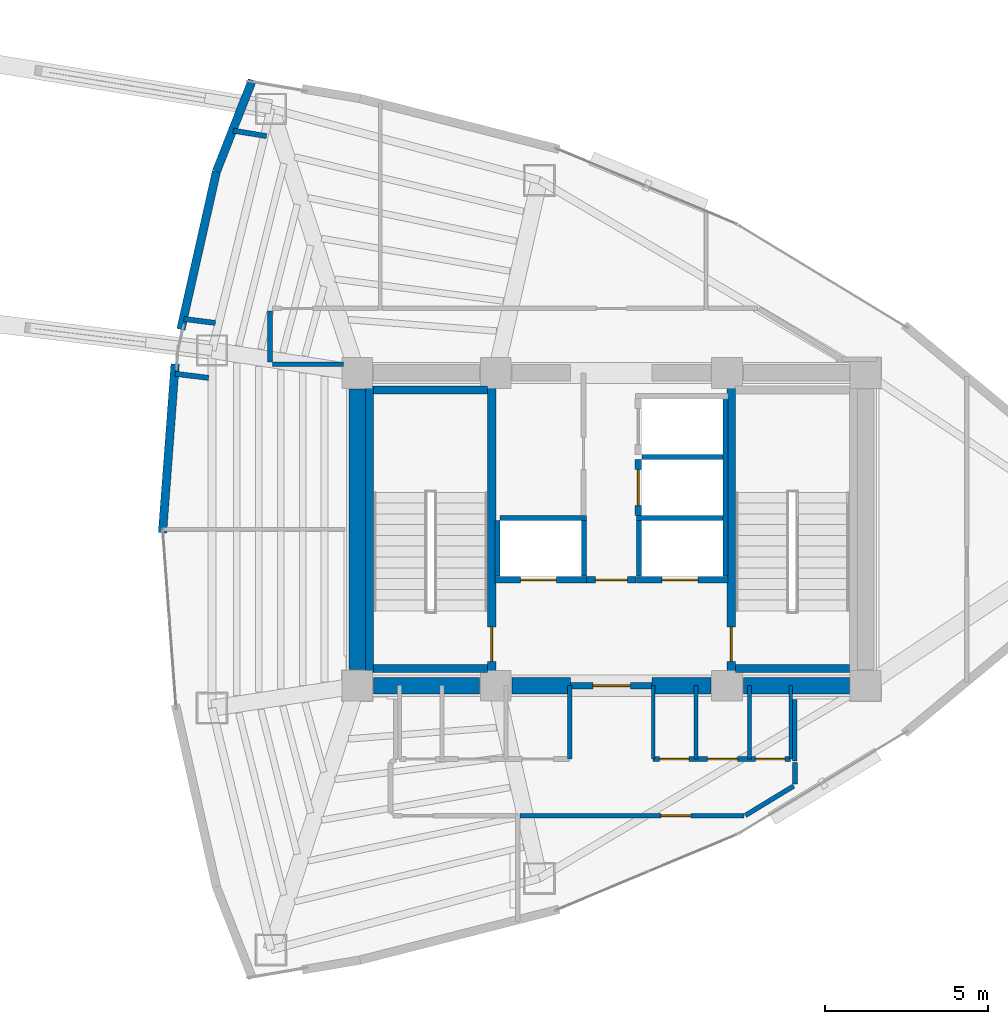
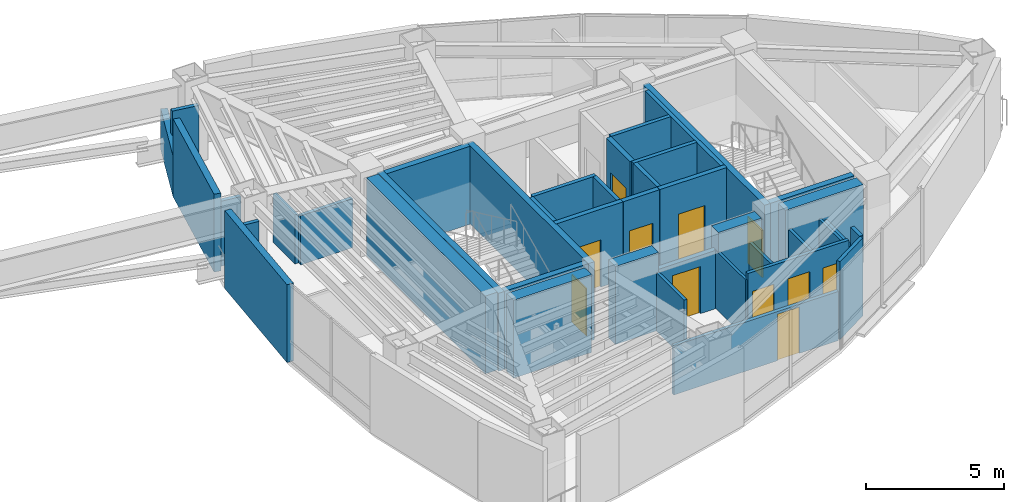
# One storey, part 11 of 14: 41 walls, 11 doors, 11 openings.
"""IFC4 building model written with IfcOpenShell, lengths in metres."""

from ifc_helpers import new_model, si_unit, direction, frame, frame_2d, origin, place, context, subcontext, project, spatial, rectangle, extrude, material, layer, layer_set, type_object, element, fill, save


model = new_model("IFC4")

# Units and contexts
model_context = context("Model", 3, precision=1e-05, world=origin(), true_north=direction((0.0, 1.0)))
body_context = subcontext(model_context, "Body", "Model", "MODEL_VIEW")
ifc_project = project(units=[si_unit("LENGTHUNIT", "METRE"), si_unit("AREAUNIT", "SQUARE_METRE"), si_unit("VOLUMEUNIT", "CUBIC_METRE"), si_unit("PLANEANGLEUNIT", "RADIAN"), si_unit("MASSUNIT", "GRAM", prefix="KILO")], contexts=[model_context])

# Site, building, storey
site_placement = place(None, origin())
site = spatial("IfcSite", under=ifc_project, at=site_placement, CompositionType="ELEMENT")
building_placement = place(site_placement, origin())
building = spatial("IfcBuilding", under=site, at=building_placement, Name="Menara Vayukalpa", CompositionType="ELEMENT")
storey_placement = place(building_placement, frame((0.0, 0.0, 191.52001953125)))
storey = spatial("IfcBuildingStorey", under=building, at=storey_placement, Name="L48", CompositionType="ELEMENT", Elevation=191.52001953125)

# Walls
ifc_material_1 = material(Name="Concrete C60/75", Category="concrete")
ifc_layer_1 = layer(ifc_material_1, 0.5)
ifc_layer_set_1 = layer_set([ifc_layer_1], Name="Concrete C60/75")
wall_type_1 = type_object("IfcWallType", Name="WAL-CW500", PredefinedType="SHEAR", material=ifc_layer_set_1)
wall_1_placement = place(storey_placement, frame((18.294921875, 17.199951171875, 0.0), z_axis=(0.0, 0.0, 1.0), x_axis=(1.0, 0.0, 0.0)))
element("IfcWall", 1, at=wall_1_placement, inside=storey, type_object=wall_type_1, Name="L48 Buttressed Core Shear Wall CWS1", PredefinedType="SHEAR", context=body_context, shape_type="SweptSolid", body=[
    extrude(rectangle(XDim=3.260009765625, YDim=0.5, at=frame_2d((1.6298828125, 0.0))), origin(), (0.0, 0.0, 1.0), 3.43994140625),
])
wall_2_placement = place(storey_placement, frame((22.544921875, 17.199951171875, 0.0), z_axis=(0.0, 0.0, 1.0), x_axis=(1.0, 0.0, 0.0)))
element("IfcWall", 2, at=wall_2_placement, inside=storey, type_object=wall_type_1, Name="L48 Buttressed Core Shear Wall CWS2", PredefinedType="SHEAR", context=body_context, shape_type="SweptSolid", body=[
    extrude(rectangle(XDim=1.80517578125, YDim=0.5, at=frame_2d((0.902587890625, 0.0))), origin(), (0.0, 0.0, 1.0), 3.43994140625),
])
wall_3_placement = place(storey_placement, frame((26.85009765625, 17.199951171875, 0.0), z_axis=(0.0, 0.0, 1.0), x_axis=(1.0, 0.0, 0.0)))
element("IfcWall", 3, at=wall_3_placement, inside=storey, type_object=wall_type_1, Name="L48 Buttressed Core Shear Wall CWS3", PredefinedType="SHEAR", context=body_context, shape_type="SweptSolid", body=[
    extrude(rectangle(XDim=1.804931640625, YDim=0.5, at=frame_2d((0.90234375, 0.0))), origin(), (0.0, 0.0, 1.0), 3.43994140625),
])
wall_4_placement = place(storey_placement, frame((29.64501953125, 17.199951171875, 0.0), z_axis=(0.0, 0.0, 1.0), x_axis=(1.0, 0.0, 0.0)))
element("IfcWall", 4, at=wall_4_placement, inside=storey, type_object=wall_type_1, Name="L48 Buttressed Core Shear Wall CWS4", PredefinedType="SHEAR", context=body_context, shape_type="SweptSolid", body=[
    extrude(rectangle(XDim=3.260009765625, YDim=0.5, at=frame_2d((1.6298828125, 0.0))), origin(), (0.0, 0.0, 1.0), 3.43994140625),
])
wall_5_placement = place(storey_placement, frame((17.800048828125, 17.695068359375, 0.0), z_axis=(0.0, 0.0, 1.0), x_axis=(0.0, 1.0, 0.0)))
element("IfcWall", 5, at=wall_5_placement, inside=storey, type_object=wall_type_1, Name="L48 Buttressed Core Shear Wall CWW1", PredefinedType="SHEAR", context=body_context, shape_type="SweptSolid", body=[
    extrude(rectangle(XDim=8.60986328125, YDim=0.5, at=frame_2d((4.304931640625, 0.0))), origin(), (0.0, 0.0, 1.0), 3.43994140625),
])
ifc_material_2 = material(Name="Insulated Precast Concrete C40/50", Category="concrete")
ifc_layer_2 = layer(ifc_material_2, 0.260009765625)
ifc_layer_set_2 = layer_set([ifc_layer_2], Name="Insulated Precast Concrete C40/50")
wall_type_2 = type_object("IfcWallType", Name="WAL-EXT260", PredefinedType="PARTITIONING", material=ifc_layer_set_2)
wall_6_placement = place(storey_placement, frame((13.47900390625, 32.978515625, 0.0), z_axis=(0.0, 0.0, 1.0), x_axis=(0.365609724313, 0.930768246927, 0.0)))
element("IfcWall", 6, at=wall_6_placement, inside=storey, type_object=wall_type_2, Name="L48 Perimeter Terracotta Pier Wall 08", PredefinedType="PARTITIONING", context=body_context, shape_type="SweptSolid", body=[
    extrude(rectangle(XDim=3.010986328125, YDim=0.260009765625, at=frame_2d((1.50537109375, 0.0))), origin(), (0.0, 0.0, 1.0), 1.800048828125),
])
wall_7_placement = place(storey_placement, frame((12.388671875, 28.1318359375, 0.0), z_axis=(0.0, 0.0, 1.0), x_axis=(0.219479451471, 0.975617122842, 0.0)))
element("IfcWall", 7, at=wall_7_placement, inside=storey, type_object=wall_type_2, Name="L48 Perimeter Terracotta Pier Wall 09", PredefinedType="PARTITIONING", context=body_context, shape_type="SweptSolid", body=[
    extrude(rectangle(XDim=4.9677734375, YDim=0.260009765625, at=frame_2d((2.48388671875, 0.0))), origin(), (0.0, 0.0, 1.0), 3.43994140625),
])
wall_8_placement = place(storey_placement, frame((11.82421875, 21.890380859375, 0.0), z_axis=(0.0, 0.0, 1.0), x_axis=(0.074763079383, 0.997201324689, 0.0)))
element("IfcWall", 8, at=wall_8_placement, inside=storey, type_object=wall_type_2, Name="L48 Perimeter Terracotta Pier Wall 10", PredefinedType="PARTITIONING", context=body_context, shape_type="SweptSolid", body=[
    extrude(rectangle(XDim=5.195556640625, YDim=0.260009765625, at=frame_2d((2.59765625, 0.0))), origin(), (0.0, 0.0, 1.0), 3.43994140625),
])
ifc_material_3 = material(Name="Lightweight Concrete Blockwork C16/20", Category="masonry")
ifc_layer_3 = layer(ifc_material_3, 0.159912109375)
ifc_layer_set_3 = layer_set([ifc_layer_3], Name="Lightweight Concrete Blockwork C16/20")
wall_type_3 = type_object("IfcWallType", Name="WAL-FR150", PredefinedType="PARTITIONING", material=ifc_layer_set_3)
for number, where, z_axis, x_axis, name in (
    (9, (22.10498046875, 20.56005859375, 0.0), (0.0, 0.0, 1.0), (0.0, 1.0, 0.0), "L48 Interior Partition IW-L48-SHW-WW"),
    (10, (24.7548828125, 20.56005859375, 0.0), (0.0, 0.0, 1.0), (0.0, 1.0, 0.0), "L48 Interior Partition IW-L48-SHW-W1E"),
):
    element("IfcWall", number, at=place(storey_placement, frame(where, z_axis=z_axis, x_axis=x_axis)), inside=storey, type_object=wall_type_3, Name=name, PredefinedType="PARTITIONING", context=body_context, shape_type="SweptSolid", body=[
        extrude(rectangle(XDim=1.7099609375, YDim=0.159912109375, at=frame_2d((0.85498046875, 0.0))), origin(), (0.0, 0.0, 1.0), 3.43994140625),
    ])
wall_9_placement = place(storey_placement, frame((22.179931640625, 22.344970703125, 0.0), z_axis=(0.0, 0.0, 1.0), x_axis=(1.0, 0.0, 0.0)))
element("IfcWall", 11, at=wall_9_placement, inside=storey, type_object=wall_type_3, Name="L48 Interior Partition IW-L48-SHM-W12", PredefinedType="PARTITIONING", context=body_context, shape_type="SweptSolid", body=[
    extrude(rectangle(XDim=2.650146484375, YDim=0.159912109375, at=frame_2d((1.3251953125, 0.0))), origin(), (0.0, 0.0, 1.0), 3.43994140625),
])
wall_10_placement = place(storey_placement, frame((29.094970703125, 20.56005859375, 0.0), z_axis=(0.0, 0.0, 1.0), x_axis=(0.0, 1.0, 0.0)))
element("IfcWall", 12, at=wall_10_placement, inside=storey, type_object=wall_type_3, Name="L48 Interior Partition IW-L48-SHW-EE", PredefinedType="PARTITIONING", context=body_context, shape_type="SweptSolid", body=[
    extrude(rectangle(XDim=5.449951171875, YDim=0.159912109375, at=frame_2d((2.72509765625, 0.0))), origin(), (0.0, 0.0, 1.0), 3.43994140625),
])
wall_11_placement = place(storey_placement, frame((26.445068359375, 20.56005859375, 0.0), z_axis=(0.0, 0.0, 1.0), x_axis=(0.0, 1.0, 0.0)))
element("IfcWall", 13, at=wall_11_placement, inside=storey, type_object=wall_type_3, Name="L48 Interior Partition IW-L48-SHW-E1W", PredefinedType="PARTITIONING", context=body_context, shape_type="SweptSolid", body=[
    extrude(rectangle(XDim=1.7099609375, YDim=0.159912109375, at=frame_2d((0.85498046875, 0.0))), origin(), (0.0, 0.0, 1.0), 3.43994140625),
])
wall_12_placement = place(storey_placement, frame((26.3701171875, 22.344970703125, 0.0), z_axis=(0.0, 0.0, 1.0), x_axis=(1.0, 0.0, 0.0)))
element("IfcWall", 14, at=wall_12_placement, inside=storey, type_object=wall_type_3, Name="L48 Interior Partition IW-L48-SHM-E13", PredefinedType="PARTITIONING", context=body_context, shape_type="SweptSolid", body=[
    extrude(rectangle(XDim=2.64990234375, YDim=0.159912109375, at=frame_2d((1.324951171875, 0.0))), origin(), (0.0, 0.0, 1.0), 3.43994140625),
])
wall_13_placement = place(storey_placement, frame((26.530029296875, 24.215087890625, 0.0), z_axis=(0.0, 0.0, 1.0), x_axis=(1.0, 0.0, 0.0)))
element("IfcWall", 15, at=wall_13_placement, inside=storey, type_object=wall_type_3, Name="L48 Interior Partition IW-L48-SHM-E32", PredefinedType="PARTITIONING", context=body_context, shape_type="SweptSolid", body=[
    extrude(rectangle(XDim=2.489990234375, YDim=0.159912109375, at=frame_2d((1.2451171875, 0.0))), origin(), (0.0, 0.0, 1.0), 3.43994140625),
])
wall_14_placement = place(storey_placement, frame((12.210205078125, 26.772216796875, 0.0), z_axis=(0.0, 0.0, 1.0), x_axis=(0.992518468601, -0.122094592369, 0.0)))
element("IfcWall", 16, at=wall_14_placement, inside=storey, type_object=wall_type_3, Name="L48 Interior Partition IW-L48-OCHK05-1", PredefinedType="PARTITIONING", context=body_context, shape_type="SweptSolid", body=[
    extrude(rectangle(XDim=1.037841796875, YDim=0.159912109375, at=frame_2d((0.51904296875, 0.0))), origin(), (0.0, 0.0, 1.0), 2.869873046875),
])
wall_15_placement = place(storey_placement, frame((13.44775390625, 28.332763671875, 0.0), z_axis=(0.0, 0.0, 1.0), x_axis=(-0.992488549389, 0.122337563047, 0.0)))
element("IfcWall", 17, at=wall_15_placement, inside=storey, type_object=wall_type_3, Name="L48 Interior Partition IW-L48-OCHK05-66", PredefinedType="PARTITIONING", context=body_context, shape_type="SweptSolid", body=[
    extrude(rectangle(XDim=0.973876953125, YDim=0.159912109375, at=frame_2d((0.48681640625, 0.0))), origin(), (0.0, 0.0, 1.0), 2.869873046875),
])
wall_16_placement = place(storey_placement, frame((13.99267578125, 34.2314453125, 0.0), z_axis=(0.0, 0.0, 1.0), x_axis=(0.986872539289, -0.161501056334, 0.0)))
element("IfcWall", 18, at=wall_16_placement, inside=storey, type_object=wall_type_3, Name="L48 Interior Partition IW-L48-OCHK05-69", PredefinedType="PARTITIONING", context=body_context, shape_type="SweptSolid", body=[
    extrude(rectangle(XDim=1.03857421875, YDim=0.159912109375, at=frame_2d((0.519287109375, 0.0))), origin(), (0.0, 0.0, 1.0), 2.869873046875),
])

# Wall, opening, door
ifc_material_4 = material(Name="Lightweight Concrete Blockwork C16/20", Category="masonry")
ifc_layer_4 = layer(ifc_material_4, 0.199951171875)
ifc_layer_set_4 = layer_set([ifc_layer_4], Name="Lightweight Concrete Blockwork C16/20")
wall_type_4 = type_object("IfcWallType", Name="WAL-FR200", PredefinedType="PARTITIONING", material=ifc_layer_set_4)
wall_17_placement = place(storey_placement, frame((24.35009765625, 17.199951171875, 0.0), z_axis=(0.0, 0.0, 1.0), x_axis=(1.0, 0.0, 0.0)))
wall_17 = element("IfcWall", 19, at=wall_17_placement, inside=storey, type_object=wall_type_4, Name="L48 Interior Partition IW-L48-FFLS", PredefinedType="PARTITIONING", context=body_context, shape_type="SweptSolid", body=[
    extrude(rectangle(XDim=2.5, YDim=0.199951171875, at=frame_2d((1.25, 0.0))), origin(), (0.0, 0.0, 1.0), 2.570068359375),
])
opening_1_placement = place(wall_17_placement, frame((0.679931640625, 0.0, 0.0)))
opening_1 = element("IfcOpeningElement", 20, at=opening_1_placement, cuts=wall_17, Name="Opening ID2", PredefinedType="OPENING", context=body_context, shape_type="SweptSolid", body=[
    extrude(rectangle(XDim=1.14990234375, YDim=2.080078125, at=frame_2d((0.574951171875, 1.0400390625))), frame((0.0, 0.10986328125, 0.0), z_axis=(0.0, -1.0, 0.0), x_axis=(1.0, 0.0, 0.0)), (0.0, 0.0, 1.0), 0.219970703125),
])
ifc_material_5 = material(Name="Fire-Rated Powder-Coated Steel Door", Category="steel")
door_type_1 = type_object("IfcDoorType", Name="DR-FD60W", OperationType="NOTDEFINED", PredefinedType="DOOR", material=ifc_material_5)
door_1_placement = place(opening_1_placement, origin())
door_1 = element("IfcDoor", 21, at=door_1_placement, inside=storey, type_object=door_type_1, Name="L48 Interior Door DR-L48-FFLS", OperationType="SINGLE_SWING_RIGHT", OverallHeight=2.080078125, OverallWidth=1.14990234375, PredefinedType="DOOR", context=body_context, shape_type="SweptSolid", body=[
    extrude(rectangle(XDim=1.14990234375, YDim=2.080078125, at=frame_2d((0.574951171875, 1.0400390625))), frame((0.0, 0.02490234375, 0.0), z_axis=(0.0, -1.0, 0.0), x_axis=(1.0, 0.0, 0.0)), (0.0, 0.0, 1.0), 0.050048828125),
])
fill(opening_1, door_1)

wall_18_placement = place(storey_placement, frame((24.840087890625, 20.449951171875, 0.0), z_axis=(0.0, 0.0, 1.0), x_axis=(1.0, 0.0, 0.0)))
wall_18 = element("IfcWall", 22, at=wall_18_placement, inside=storey, type_object=wall_type_4, Name="L48 Interior Partition IW-L48-FFLN", PredefinedType="PARTITIONING", context=body_context, shape_type="SweptSolid", body=[
    extrude(rectangle(XDim=1.52001953125, YDim=0.199951171875, at=frame_2d((0.760009765625, 0.0))), origin(), (0.0, 0.0, 1.0), 3.43994140625),
])
opening_2_placement = place(wall_18_placement, frame((0.27001953125, 0.0, 0.0)))
opening_2 = element("IfcOpeningElement", 23, at=opening_2_placement, cuts=wall_18, Name="Opening ID3", PredefinedType="OPENING", context=body_context, shape_type="SweptSolid", body=[
    extrude(rectangle(XDim=0.97998046875, YDim=2.06005859375, at=frame_2d((0.489990234375, 1.030029296875))), frame((0.0, 0.10986328125, 0.0), z_axis=(0.0, -1.0, 0.0), x_axis=(1.0, 0.0, 0.0)), (0.0, 0.0, 1.0), 0.219970703125),
])
ifc_material_6 = material(Name="Fire-Rated Powder-Coated Steel Door", Category="steel")
door_type_2 = type_object("IfcDoorType", Name="DR-FD60", OperationType="NOTDEFINED", PredefinedType="DOOR", material=ifc_material_6)
door_2_placement = place(opening_2_placement, origin())
door_2 = element("IfcDoor", 24, at=door_2_placement, inside=storey, type_object=door_type_2, Name="L48 Interior Door DR-L48-FFLN", OperationType="SINGLE_SWING_LEFT", OverallHeight=2.06005859375, OverallWidth=0.97998046875, PredefinedType="DOOR", context=body_context, shape_type="SweptSolid", body=[
    extrude(rectangle(XDim=0.97998046875, YDim=2.06005859375, at=frame_2d((0.489990234375, 1.030029296875))), frame((0.0, 0.02490234375, 0.0), z_axis=(0.0, -1.0, 0.0), x_axis=(1.0, 0.0, 0.0)), (0.0, 0.0, 1.0), 0.050048828125),
])
fill(opening_2, door_2)

wall_19_placement = place(storey_placement, frame((22.030029296875, 20.449951171875, 0.0), z_axis=(0.0, 0.0, 1.0), x_axis=(1.0, 0.0, 0.0)))
wall_19 = element("IfcWall", 25, at=wall_19_placement, inside=storey, type_object=wall_type_4, Name="L48 Interior Partition IW-L48-SH-W1", PredefinedType="PARTITIONING", context=body_context, shape_type="SweptSolid", body=[
    extrude(rectangle(XDim=2.800048828125, YDim=0.199951171875, at=frame_2d((1.39990234375, 0.0))), origin(), (0.0, 0.0, 1.0), 3.43994140625),
])
opening_3_placement = place(wall_19_placement, frame((0.780029296875, 0.0, 0.0)))
opening_3 = element("IfcOpeningElement", 26, at=opening_3_placement, cuts=wall_19, Name="Opening LD1", PredefinedType="OPENING", context=body_context, shape_type="SweptSolid", body=[
    extrude(rectangle(XDim=1.10009765625, YDim=2.080078125, at=frame_2d((0.550048828125, 1.0400390625))), frame((0.0, 0.10986328125, 0.0), z_axis=(0.0, -1.0, 0.0), x_axis=(1.0, 0.0, 0.0)), (0.0, 0.0, 1.0), 0.219970703125),
])
ifc_material_7 = material(Name="Brushed Stainless Steel 316 Lift Door", Category="steel")
door_type_3 = type_object("IfcDoorType", Name="DR-LD110", OperationType="NOTDEFINED", PredefinedType="DOOR", material=ifc_material_7)
door_3_placement = place(opening_3_placement, origin())
door_3 = element("IfcDoor", 27, at=door_3_placement, inside=storey, type_object=door_type_3, Name="L48 Interior Door DR-L48-LD-W1", OperationType="DOUBLE_DOOR_SLIDING", OverallHeight=2.080078125, OverallWidth=1.10009765625, PredefinedType="DOOR", context=body_context, shape_type="SweptSolid", body=[
    extrude(rectangle(XDim=1.10009765625, YDim=2.080078125, at=frame_2d((0.550048828125, 1.0400390625))), frame((0.0, 0.02490234375, 0.0), z_axis=(0.0, -1.0, 0.0), x_axis=(1.0, 0.0, 0.0)), (0.0, 0.0, 1.0), 0.050048828125),
])
fill(opening_3, door_3)

wall_20_placement = place(storey_placement, frame((26.3701171875, 20.449951171875, 0.0), z_axis=(0.0, 0.0, 1.0), x_axis=(1.0, 0.0, 0.0)))
wall_20 = element("IfcWall", 28, at=wall_20_placement, inside=storey, type_object=wall_type_4, Name="L48 Interior Partition IW-L48-SH-E1", PredefinedType="PARTITIONING", context=body_context, shape_type="SweptSolid", body=[
    extrude(rectangle(XDim=2.7998046875, YDim=0.199951171875, at=frame_2d((1.39990234375, 0.0))), origin(), (0.0, 0.0, 1.0), 3.43994140625),
])
opening_4_placement = place(wall_20_placement, frame((0.780029296875, 0.0, 0.0)))
opening_4 = element("IfcOpeningElement", 29, at=opening_4_placement, cuts=wall_20, Name="Opening LD1", PredefinedType="OPENING", context=body_context, shape_type="SweptSolid", body=[
    extrude(rectangle(XDim=1.10009765625, YDim=2.080078125, at=frame_2d((0.550048828125, 1.0400390625))), frame((0.0, 0.10986328125, 0.0), z_axis=(0.0, -1.0, 0.0), x_axis=(1.0, 0.0, 0.0)), (0.0, 0.0, 1.0), 0.219970703125),
])
door_4_placement = place(opening_4_placement, origin())
door_4 = element("IfcDoor", 30, at=door_4_placement, inside=storey, type_object=door_type_3, Name="L48 Interior Door DR-L48-LD-E1", OperationType="DOUBLE_DOOR_SLIDING", OverallHeight=2.080078125, OverallWidth=1.10009765625, PredefinedType="DOOR", context=body_context, shape_type="SweptSolid", body=[
    extrude(rectangle(XDim=1.10009765625, YDim=2.080078125, at=frame_2d((0.550048828125, 1.0400390625))), frame((0.0, 0.02490234375, 0.0), z_axis=(0.0, -1.0, 0.0), x_axis=(1.0, 0.0, 0.0)), (0.0, 0.0, 1.0), 0.050048828125),
])
fill(opening_4, door_4)

wall_21_placement = place(storey_placement, frame((26.419921875, 22.419921875, 0.0), z_axis=(0.0, 0.0, 1.0), x_axis=(0.0, 1.0, 0.0)))
wall_21 = element("IfcWall", 31, at=wall_21_placement, inside=storey, type_object=wall_type_4, Name="L48 Interior Partition IW-L48-SH-E3", PredefinedType="PARTITIONING", context=body_context, shape_type="SweptSolid", body=[
    extrude(rectangle(XDim=1.719970703125, YDim=0.199951171875, at=frame_2d((0.85986328125, 0.0))), origin(), (0.0, 0.0, 1.0), 3.43994140625),
])
opening_5_placement = place(wall_21_placement, frame((0.31005859375, 0.0, 0.0)))
opening_5 = element("IfcOpeningElement", 32, at=opening_5_placement, cuts=wall_21, Name="Opening LD1", PredefinedType="OPENING", context=body_context, shape_type="SweptSolid", body=[
    extrude(rectangle(XDim=1.10009765625, YDim=2.080078125, at=frame_2d((0.550048828125, 1.0400390625))), frame((0.0, 0.10986328125, 0.0), z_axis=(0.0, -1.0, 0.0), x_axis=(1.0, 0.0, 0.0)), (0.0, 0.0, 1.0), 0.219970703125),
])
door_5_placement = place(opening_5_placement, origin())
door_5 = element("IfcDoor", 33, at=door_5_placement, inside=storey, type_object=door_type_3, Name="L48 Interior Door DR-L48-LD-E3", OperationType="DOUBLE_DOOR_SLIDING", OverallHeight=2.080078125, OverallWidth=1.10009765625, PredefinedType="DOOR", context=body_context, shape_type="SweptSolid", body=[
    extrude(rectangle(XDim=1.10009765625, YDim=2.080078125, at=frame_2d((0.550048828125, 1.0400390625))), frame((0.0, 0.02490234375, 0.0), z_axis=(0.0, -1.0, 0.0), x_axis=(1.0, 0.0, 0.0)), (0.0, 0.0, 1.0), 0.050048828125),
])
fill(opening_5, door_5)

# Walls
ifc_material_8 = material(Name="Acoustic Mineral Stud Partition", Category="masonry")
ifc_layer_5 = layer(ifc_material_8, 0.110107421875)
ifc_layer_set_5 = layer_set([ifc_layer_5], Name="Acoustic Mineral Stud Partition")
wall_type_5 = type_object("IfcWallType", Name="WAL-PT110", PredefinedType="PARTITIONING", material=ifc_layer_set_5)
for number, where, z_axis, x_axis, name in (
    (34, (26.8798828125, 14.949951171875, 0.0), (0.0, 0.0, 1.0), (0.0, 1.0, 0.0), "L48 Interior Partition IW-L48-SVCD-05"),
    (35, (31.10009765625, 14.949951171875, 0.0), (0.0, 0.0, 1.0), (0.0, 1.0, 0.0), "L48 Interior Partition IW-L48-SVCD-08"),
):
    element("IfcWall", number, at=place(storey_placement, frame(where, z_axis=z_axis, x_axis=x_axis)), inside=storey, type_object=wall_type_5, Name=name, PredefinedType="PARTITIONING", context=body_context, shape_type="SweptSolid", body=[
        extrude(rectangle(XDim=2.25, YDim=0.110107421875, at=frame_2d((1.125, 0.0))), origin(), (0.0, 0.0, 1.0), 2.570068359375),
    ])
ifc_material_9 = material(Name="Gypsum Drywall Steel Stud Assembly", Category="steel")
ifc_layer_6 = layer(ifc_material_9, 0.125)
ifc_layer_set_6 = layer_set([ifc_layer_6], Name="Gypsum Drywall Steel Stud Assembly")
wall_type_6 = type_object("IfcWallType", Name="WAL-PT125", PredefinedType="PARTITIONING", material=ifc_layer_set_6)
for number, where, z_axis, x_axis, name in (
    (36, (24.320068359375, 14.949951171875, 0.0), (0.0, 0.0, 1.0), (0.0, 1.0, 0.0), "L48 Interior Partition IW-L48-SVCD-04"),
    (37, (28.18994140625, 14.949951171875, 0.0), (0.0, 0.0, 1.0), (0.0, 1.0, 0.0), "L48 Interior Partition IW-L48-SVCD-06"),
    (38, (29.830078125, 14.949951171875, 0.0), (0.0, 0.0, 1.0), (0.0, 1.0, 0.0), "L48 Interior Partition IW-L48-SVCD-07"),
):
    element("IfcWall", number, at=place(storey_placement, frame(where, z_axis=z_axis, x_axis=x_axis)), inside=storey, type_object=wall_type_6, Name=name, PredefinedType="PARTITIONING", context=body_context, shape_type="SweptSolid", body=[
        extrude(rectangle(XDim=2.25, YDim=0.125, at=frame_2d((1.125, 0.0))), origin(), (0.0, 0.0, 1.0), 2.570068359375),
    ])

# Wall, openings, doors
ifc_material_10 = material(Name="Gypsum Drywall Acoustic Stud Assembly", Category="masonry")
ifc_layer_7 = layer(ifc_material_10, 0.14501953125)
ifc_layer_set_7 = layer_set([ifc_layer_7], Name="Gypsum Drywall Acoustic Stud Assembly")
wall_type_7 = type_object("IfcWallType", Name="WAL-PT150", PredefinedType="PARTITIONING", material=ifc_layer_set_7)
wall_22_placement = place(storey_placement, frame((26.8798828125, 14.949951171875, 0.0), z_axis=(0.0, 0.0, 1.0), x_axis=(1.0, 0.0, 0.0)))
wall_22 = element("IfcWall", 39, at=wall_22_placement, inside=storey, type_object=wall_type_7, Name="L48 Interior Partition IW-L48-SVCS-E", PredefinedType="PARTITIONING", context=body_context, shape_type="SweptSolid", body=[
    extrude(rectangle(XDim=4.22021484375, YDim=0.14501953125, at=frame_2d((2.110107421875, 0.0))), origin(), (0.0, 0.0, 1.0), 2.869873046875),
])
opening_6_placement = place(wall_22_placement, frame((0.199951171875, 0.0, 0.0)))
opening_6 = element("IfcOpeningElement", 40, at=opening_6_placement, cuts=wall_22, Name="Opening ID7", PredefinedType="OPENING", context=body_context, shape_type="SweptSolid", body=[
    extrude(rectangle(XDim=0.89990234375, YDim=2.02001953125, at=frame_2d((0.449951171875, 1.010009765625))), frame((0.0, 0.08251953125, 0.0), z_axis=(0.0, -1.0, 0.0), x_axis=(1.0, 0.0, 0.0)), (0.0, 0.0, 1.0), 0.1650390625),
])
opening_7_placement = place(wall_22_placement, frame((1.669921875, 0.0, 0.0)))
opening_7 = element("IfcOpeningElement", 41, at=opening_7_placement, cuts=wall_22, Name="Opening ID6", PredefinedType="OPENING", context=body_context, shape_type="SweptSolid", body=[
    extrude(rectangle(XDim=0.919921875, YDim=2.050048828125, at=frame_2d((0.4599609375, 1.02490234375))), frame((0.0, 0.08251953125, 0.0), z_axis=(0.0, -1.0, 0.0), x_axis=(1.0, 0.0, 0.0)), (0.0, 0.0, 1.0), 0.1650390625),
])
opening_8_placement = place(wall_22_placement, frame((3.139892578125, 0.0, 0.0)))
opening_8 = element("IfcOpeningElement", 42, at=opening_8_placement, cuts=wall_22, Name="Opening ID7", PredefinedType="OPENING", context=body_context, shape_type="SweptSolid", body=[
    extrude(rectangle(XDim=0.89990234375, YDim=2.02001953125, at=frame_2d((0.449951171875, 1.010009765625))), frame((0.0, 0.08251953125, 0.0), z_axis=(0.0, -1.0, 0.0), x_axis=(1.0, 0.0, 0.0)), (0.0, 0.0, 1.0), 0.1650390625),
])
ifc_material_11 = material(Name="Acoustic Hardwood Veneer Timber Door", Category="wood")
door_type_4 = type_object("IfcDoorType", Name="DR-INT92", OperationType="NOTDEFINED", PredefinedType="DOOR", material=ifc_material_11)
door_6_placement = place(opening_7_placement, origin())
door_6 = element("IfcDoor", 43, at=door_6_placement, inside=storey, type_object=door_type_4, Name="L48 Interior Door DR-L48-KSV2", OperationType="SINGLE_SWING_LEFT", OverallHeight=2.050048828125, OverallWidth=0.919921875, PredefinedType="DOOR", context=body_context, shape_type="SweptSolid", body=[
    extrude(rectangle(XDim=0.919921875, YDim=2.050048828125, at=frame_2d((0.4599609375, 1.02490234375))), frame((0.0, 0.02490234375, 0.0), z_axis=(0.0, -1.0, 0.0), x_axis=(1.0, 0.0, 0.0)), (0.0, 0.0, 1.0), 0.050048828125),
])
fill(opening_7, door_6)
ifc_material_12 = material(Name="Powder-Coated Steel Riser Access Door", Category="steel")
door_type_5 = type_object("IfcDoorType", Name="DR-RISER", OperationType="NOTDEFINED", PredefinedType="DOOR", material=ifc_material_12)
door_7_placement = place(opening_6_placement, origin())
door_7 = element("IfcDoor", 44, at=door_7_placement, inside=storey, type_object=door_type_5, Name="L48 Interior Door DR-L48-KSV1", OperationType="SINGLE_SWING_RIGHT", OverallHeight=2.02001953125, OverallWidth=0.89990234375, PredefinedType="DOOR", context=body_context, shape_type="SweptSolid", body=[
    extrude(rectangle(XDim=0.89990234375, YDim=2.02001953125, at=frame_2d((0.449951171875, 1.010009765625))), frame((0.0, 0.02490234375, 0.0), z_axis=(0.0, -1.0, 0.0), x_axis=(1.0, 0.0, 0.0)), (0.0, 0.0, 1.0), 0.050048828125),
])
fill(opening_6, door_7)
door_8_placement = place(opening_8_placement, origin())
door_8 = element("IfcDoor", 45, at=door_8_placement, inside=storey, type_object=door_type_5, Name="L48 Interior Door DR-L48-SMD", OperationType="SINGLE_SWING_RIGHT", OverallHeight=2.02001953125, OverallWidth=0.89990234375, PredefinedType="DOOR", context=body_context, shape_type="SweptSolid", body=[
    extrude(rectangle(XDim=0.89990234375, YDim=2.02001953125, at=frame_2d((0.449951171875, 1.010009765625))), frame((0.0, 0.02490234375, 0.0), z_axis=(0.0, -1.0, 0.0), x_axis=(1.0, 0.0, 0.0)), (0.0, 0.0, 1.0), 0.050048828125),
])
fill(opening_8, door_8)

# Wall, opening, door
wall_23_placement = place(storey_placement, frame((22.794921875, 13.2099609375, 0.0), z_axis=(0.0, 0.0, 1.0), x_axis=(1.0, 0.0, 0.0)))
wall_23 = element("IfcWall", 46, at=wall_23_placement, inside=storey, type_object=wall_type_7, Name="L48 Interior Partition IW-L48-CRM02-1", PredefinedType="PARTITIONING", context=body_context, shape_type="SweptSolid", body=[
    extrude(rectangle(XDim=6.87255859375, YDim=0.14501953125, at=frame_2d((3.436279296875, 0.0))), origin(), (0.0, 0.0, 1.0), 2.169921875),
])
opening_9_placement = place(wall_23_placement, frame((4.324462890625, 0.0, 0.0)))
opening_9 = element("IfcOpeningElement", 47, at=opening_9_placement, cuts=wall_23, Name="Opening ID6", PredefinedType="OPENING", context=body_context, shape_type="SweptSolid", body=[
    extrude(rectangle(XDim=0.919921875, YDim=2.050048828125, at=frame_2d((0.4599609375, 1.02490234375))), frame((0.0, 0.08251953125, 0.0), z_axis=(0.0, -1.0, 0.0), x_axis=(1.0, 0.0, 0.0)), (0.0, 0.0, 1.0), 0.1650390625),
])
door_9_placement = place(opening_9_placement, origin())
door_9 = element("IfcDoor", 48, at=door_9_placement, inside=storey, type_object=door_type_4, Name="L48 Interior Door DR-L48-RM02", OperationType="SINGLE_SWING_RIGHT", OverallHeight=2.050048828125, OverallWidth=0.919921875, PredefinedType="DOOR", context=body_context, shape_type="SweptSolid", body=[
    extrude(rectangle(XDim=0.919921875, YDim=2.050048828125, at=frame_2d((0.4599609375, 1.02490234375))), frame((0.0, 0.02490234375, 0.0), z_axis=(0.0, -1.0, 0.0), x_axis=(1.0, 0.0, 0.0)), (0.0, 0.0, 1.0), 0.050048828125),
])
fill(opening_9, door_9)

# Walls
wall_24_placement = place(storey_placement, frame((29.708984375, 13.2216796875, 0.0), z_axis=(0.0, 0.0, 1.0), x_axis=(0.854635840942, 0.519227868451, 0.0)))
element("IfcWall", 49, at=wall_24_placement, inside=storey, type_object=wall_type_7, Name="L48 Interior Partition IW-L48-CRM02-2", PredefinedType="PARTITIONING", context=body_context, shape_type="SweptSolid", body=[
    extrude(rectangle(XDim=1.734619140625, YDim=0.14501953125, at=frame_2d((0.8671875, 0.0))), origin(), (0.0, 0.0, 1.0), 3.43994140625),
])
wall_25_placement = place(storey_placement, frame((31.22998046875, 14.190673828125, 0.0), z_axis=(0.0, 0.0, 1.0), x_axis=(0.0, 1.0, 0.0)))
element("IfcWall", 50, at=wall_25_placement, inside=storey, type_object=wall_type_7, Name="L48 Interior Partition IW-L48-CRM02-3", PredefinedType="PARTITIONING", context=body_context, shape_type="SweptSolid", body=[
    extrude(rectangle(XDim=0.659423828125, YDim=0.14501953125, at=frame_2d((0.32958984375, 0.0))), origin(), (0.0, 0.0, 1.0), 3.43994140625),
])
wall_26_placement = place(storey_placement, frame((31.219970703125, 14.888671875, 0.0), z_axis=(0.0, 0.0, 1.0), x_axis=(0.0, 1.0, 0.0)))
element("IfcWall", 51, at=wall_26_placement, inside=storey, type_object=wall_type_7, Name="L48 Interior Partition IW-L48-CRM02-4", PredefinedType="PARTITIONING", context=body_context, shape_type="SweptSolid", body=[
    extrude(rectangle(XDim=1.891357421875, YDim=0.14501953125, at=frame_2d((0.94580078125, 0.0))), origin(), (0.0, 0.0, 1.0), 2.570068359375),
])
wall_27_placement = place(storey_placement, frame((15.1201171875, 28.699951171875, 0.0), z_axis=(0.0, 0.0, 1.0), x_axis=(0.0, -1.0, 0.0)))
element("IfcWall", 52, at=wall_27_placement, inside=storey, type_object=wall_type_7, Name="L48 Interior Partition IW-L48-CRM05-2", PredefinedType="PARTITIONING", context=body_context, shape_type="SweptSolid", body=[
    extrude(rectangle(XDim=1.56005859375, YDim=0.14501953125, at=frame_2d((0.780029296875, 0.0))), origin(), (0.0, 0.0, 1.0), 2.169921875),
])
wall_28_placement = place(storey_placement, frame((15.199951171875, 27.06005859375, 0.0), z_axis=(0.0, 0.0, 1.0), x_axis=(1.0, 0.0, 0.0)))
element("IfcWall", 53, at=wall_28_placement, inside=storey, type_object=wall_type_7, Name="L48 Interior Partition IW-L48-CRM05-3", PredefinedType="PARTITIONING", context=body_context, shape_type="SweptSolid", body=[
    extrude(rectangle(XDim=2.179931640625, YDim=0.14501953125, at=frame_2d((1.08984375, 0.0))), origin(), (0.0, 0.0, 1.0), 2.169921875),
])
ifc_material_13 = material(Name="Concrete C50/60", Category="concrete")
ifc_layer_8 = layer(ifc_material_13, 0.25)
ifc_layer_set_8 = layer_set([ifc_layer_8], Name="Concrete C50/60")
wall_type_8 = type_object("IfcWallType", Name="WAL-SW250", PredefinedType="SHEAR", material=ifc_layer_set_8)
wall_29_placement = place(storey_placement, frame((18.178955078125, 17.60009765625, 0.0), z_axis=(0.0, 0.0, 1.0), x_axis=(0.0, 1.0, 0.0)))
element("IfcWall", 54, at=wall_29_placement, inside=storey, type_object=wall_type_8, Name="L48 ST1 Structural Stair Shaft Wall W", PredefinedType="SHEAR", context=body_context, shape_type="SweptSolid", body=[
    extrude(rectangle(XDim=8.7998046875, YDim=0.25, at=frame_2d((4.39990234375, 0.0))), origin(), (0.0, 0.0, 1.0), 3.43994140625),
])

# Wall, opening, door
wall_30_placement = place(storey_placement, frame((21.925048828125, 17.60009765625, 0.0), z_axis=(0.0, 0.0, 1.0), x_axis=(0.0, 1.0, 0.0)))
wall_30 = element("IfcWall", 55, at=wall_30_placement, inside=storey, type_object=wall_type_8, Name="L48 ST1 Structural Stair Shaft Wall E", PredefinedType="SHEAR", context=body_context, shape_type="SweptSolid", body=[
    extrude(rectangle(XDim=8.7998046875, YDim=0.25, at=frame_2d((4.39990234375, 0.0))), origin(), (0.0, 0.0, 1.0), 3.43994140625),
])
opening_10_placement = place(wall_30_placement, frame((0.35009765625, 0.0, 0.0)))
opening_10 = element("IfcOpeningElement", 56, at=opening_10_placement, cuts=wall_30, Name="Opening ID1", PredefinedType="OPENING", context=body_context, shape_type="SweptSolid", body=[
    extrude(rectangle(XDim=1.050048828125, YDim=2.080078125, at=frame_2d((0.52490234375, 1.0400390625))), frame((0.0, 0.135009765625, 0.0), z_axis=(0.0, -1.0, 0.0), x_axis=(1.0, 0.0, 0.0)), (0.0, 0.0, 1.0), 0.27001953125),
])
ifc_material_14 = material(Name="Fire-Rated Powder-Coated Steel Door", Category="steel")
door_type_6 = type_object("IfcDoorType", Name="DR-FD120", OperationType="NOTDEFINED", PredefinedType="DOOR", material=ifc_material_14)
door_10_placement = place(opening_10_placement, origin())
door_10 = element("IfcDoor", 57, at=door_10_placement, inside=storey, type_object=door_type_6, Name="L48 Stair Exit Door DR-L48-ST1", OperationType="SINGLE_SWING_LEFT", OverallHeight=2.080078125, OverallWidth=1.050048828125, PredefinedType="DOOR", context=body_context, shape_type="SweptSolid", body=[
    extrude(rectangle(XDim=1.050048828125, YDim=2.080078125, at=frame_2d((0.52490234375, 1.0400390625))), frame((0.0, 0.02490234375, 0.0), z_axis=(0.0, -1.0, 0.0), x_axis=(1.0, 0.0, 0.0)), (0.0, 0.0, 1.0), 0.050048828125),
])
fill(opening_10, door_10)

# Walls
for number, where, z_axis, x_axis, name in (
    (58, (18.303955078125, 17.72509765625, 0.0), (0.0, 0.0, 1.0), (1.0, 0.0, 0.0), "L48 ST1 Structural Stair Shaft Wall S"),
    (59, (18.303955078125, 26.27490234375, 0.0), (0.0, 0.0, 1.0), (1.0, 0.0, 0.0), "L48 ST1 Structural Stair Shaft Wall N"),
):
    element("IfcWall", number, at=place(storey_placement, frame(where, z_axis=z_axis, x_axis=x_axis)), inside=storey, type_object=wall_type_8, Name=name, PredefinedType="SHEAR", context=body_context, shape_type="SweptSolid", body=[
        extrude(rectangle(XDim=3.49609375, YDim=0.25, at=frame_2d((1.748046875, 0.0))), origin(), (0.0, 0.0, 1.0), 3.43994140625),
    ])

# Wall, opening, door
wall_31_placement = place(storey_placement, frame((29.27490234375, 17.60009765625, 0.0), z_axis=(0.0, 0.0, 1.0), x_axis=(0.0, 1.0, 0.0)))
wall_31 = element("IfcWall", 60, at=wall_31_placement, inside=storey, type_object=wall_type_8, Name="L48 ST2 Structural Stair Shaft Wall W", PredefinedType="SHEAR", context=body_context, shape_type="SweptSolid", body=[
    extrude(rectangle(XDim=8.7998046875, YDim=0.25, at=frame_2d((4.39990234375, 0.0))), origin(), (0.0, 0.0, 1.0), 3.43994140625),
])
opening_11_placement = place(wall_31_placement, frame((0.35009765625, 0.0, 0.0)))
opening_11 = element("IfcOpeningElement", 61, at=opening_11_placement, cuts=wall_31, Name="Opening ID1", PredefinedType="OPENING", context=body_context, shape_type="SweptSolid", body=[
    extrude(rectangle(XDim=1.050048828125, YDim=2.080078125, at=frame_2d((0.52490234375, 1.0400390625))), frame((0.0, 0.135009765625, 0.0), z_axis=(0.0, -1.0, 0.0), x_axis=(1.0, 0.0, 0.0)), (0.0, 0.0, 1.0), 0.27001953125),
])
door_11_placement = place(opening_11_placement, origin())
door_11 = element("IfcDoor", 62, at=door_11_placement, inside=storey, type_object=door_type_6, Name="L48 Stair Exit Door DR-L48-ST2", OperationType="SINGLE_SWING_RIGHT", OverallHeight=2.080078125, OverallWidth=1.050048828125, PredefinedType="DOOR", context=body_context, shape_type="SweptSolid", body=[
    extrude(rectangle(XDim=1.050048828125, YDim=2.080078125, at=frame_2d((0.52490234375, 1.0400390625))), frame((0.0, 0.02490234375, 0.0), z_axis=(0.0, -1.0, 0.0), x_axis=(1.0, 0.0, 0.0)), (0.0, 0.0, 1.0), 0.050048828125),
])
fill(opening_11, door_11)

# Wall
wall_32_placement = place(storey_placement, frame((29.39990234375, 17.72509765625, 0.0), z_axis=(0.0, 0.0, 1.0), x_axis=(1.0, 0.0, 0.0)))
element("IfcWall", 63, at=wall_32_placement, inside=storey, type_object=wall_type_8, Name="L48 ST2 Structural Stair Shaft Wall S", PredefinedType="SHEAR", context=body_context, shape_type="SweptSolid", body=[
    extrude(rectangle(XDim=3.49609375, YDim=0.25, at=frame_2d((1.748046875, 0.0))), origin(), (0.0, 0.0, 1.0), 3.43994140625),
])

save(model, "model.ifc")
